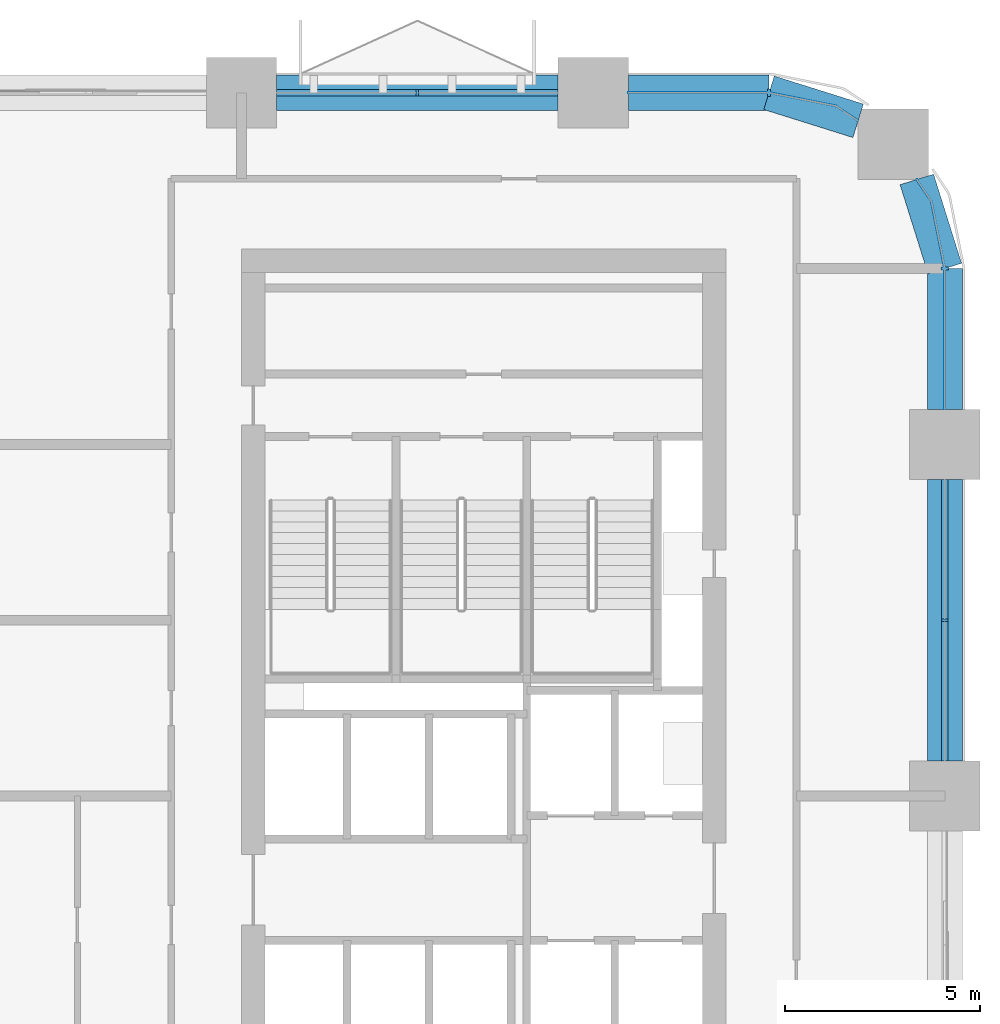
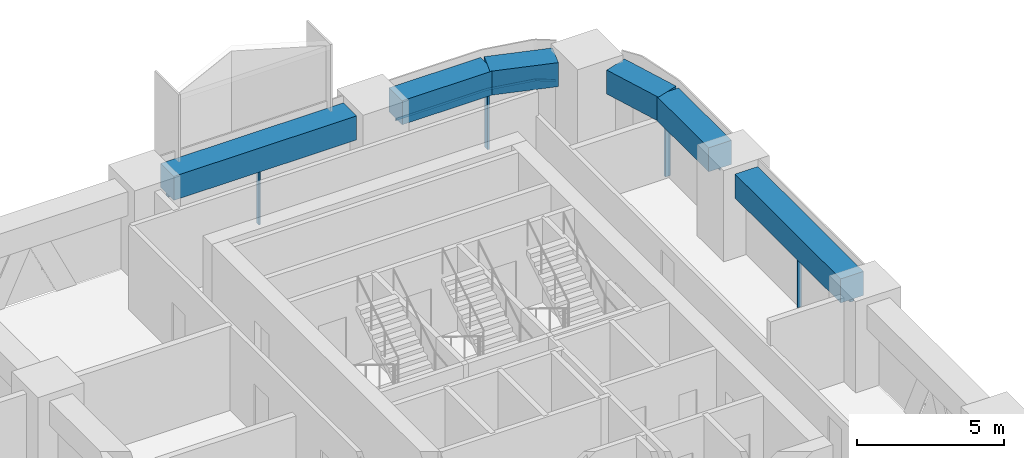
# One storey, part 8 of 26: 8 members, 6 beams, 4 elements without a shape of their own.
"""IFC4 building model written with IfcOpenShell, lengths in metres."""

from ifc_helpers import new_model, si_unit, direction, frame, origin, origin_2d, place, context, subcontext, project, spatial, polyline, rectangle, outline, extrude, material, material_profile, profile_set, type_object, element, aggregate, save


model = new_model("IFC4")

# Units and contexts
model_context = context("Model", 3, precision=1e-05, world=origin(), true_north=direction((0.0, 1.0)))
body_context = subcontext(model_context, "Body", "Model", "MODEL_VIEW")
ifc_project = project(units=[si_unit("LENGTHUNIT", "METRE"), si_unit("AREAUNIT", "SQUARE_METRE"), si_unit("VOLUMEUNIT", "CUBIC_METRE"), si_unit("PLANEANGLEUNIT", "RADIAN"), si_unit("MASSUNIT", "GRAM", prefix="KILO")], contexts=[model_context])

# Site, building, storey
site_placement = place(None, origin())
site = spatial("IfcSite", under=ifc_project, at=site_placement, CompositionType="ELEMENT")
building_placement = place(site_placement, origin())
building = spatial("IfcBuilding", under=site, at=building_placement, Name="Tessera Arch", CompositionType="ELEMENT")
storey_placement = place(building_placement, frame((0.0, 0.0, 96.800048828125)))
storey = spatial("IfcBuildingStorey", under=building, at=storey_placement, Name="L22", CompositionType="ELEMENT", Elevation=96.800048828125)

# Curtain wall, member
ifc_material_1 = material(Name="CW1 curtain wall")
curtain_wall_type_1 = type_object("IfcCurtainWallType", Name="CW1 curtain wall", PredefinedType="NOTDEFINED", material=ifc_material_1)
curtain_wall_1_placement = place(storey_placement, origin())
curtain_wall_1 = element("IfcCurtainWall", 1, at=curtain_wall_1_placement, inside=storey, type_object=curtain_wall_type_1, Name="CW1 curtain wall N54.0/0 L22", PredefinedType="NOTDEFINED")
ifc_material_2 = material(Name="Anodised aluminium pale metal", Category="aluminium")
ifc_material_profile_1 = material_profile(ifc_material_2, rectangle(XDim=0.159912109375, YDim=0.06005859375, at=origin_2d()), Name="AL 60x160")
ifc_profile_set_1 = profile_set([ifc_material_profile_1], Name="Anodised aluminium pale metal")
member_type_1 = type_object("IfcMemberType", Name="CW1 mullion", PredefinedType="MULLION", material=ifc_profile_set_1)
member_1_placement = place(storey_placement, frame((40.5, 54.0, 0.0), z_axis=(0.0, 0.0, 1.0), x_axis=(0.0, -1.0, 0.0)))
member_1 = element("IfcMember", 2, at=member_1_placement, type_object=member_type_1, Name="CW1 mullion N54.0/0 1", PredefinedType="MULLION", context=body_context, shape_type="SweptSolid", body=[
    extrude(rectangle(XDim=0.159912109375, YDim=0.06005859375, at=origin_2d()), origin(), (0.0, 0.0, 1.0), 2.39990234375),
])

curtain_wall_2_placement = place(storey_placement, origin())
curtain_wall_2 = element("IfcCurtainWall", 3, at=curtain_wall_2_placement, inside=storey, type_object=curtain_wall_type_1, Name="CW1 curtain wall E54.0/4 L22", PredefinedType="NOTDEFINED")
member_2_placement = place(storey_placement, frame((54.0, 40.5, 0.0), z_axis=(0.0, 0.0, 1.0), x_axis=(-1.0, 0.0, 0.0)))
member_2 = element("IfcMember", 4, at=member_2_placement, type_object=member_type_1, Name="CW1 mullion E54.0/4 1", PredefinedType="MULLION", context=body_context, shape_type="SweptSolid", body=[
    extrude(rectangle(XDim=0.159912109375, YDim=0.06005859375, at=origin_2d()), origin(), (0.0, 0.0, 1.0), 2.39990234375),
])

# Member
ifc_material_3 = material(Name="Anodised aluminium pale metal", Category="aluminium")
ifc_material_profile_2 = material_profile(ifc_material_3, rectangle(XDim=0.159912109375, YDim=0.10009765625, at=origin_2d()), Name="AL 160x100")
ifc_profile_set_2 = profile_set([ifc_material_profile_2], Name="Anodised aluminium pale metal")
member_type_2 = type_object("IfcMemberType", Name="CW1 transom", PredefinedType="USERDEFINED", material=ifc_profile_set_2)
member_3_placement = place(storey_placement, frame((44.10009765625, 54.0, 2.449951171875), z_axis=(-1.0, 0.0, 0.0), x_axis=(0.0, -1.0, 0.0)))
member_3 = element("IfcMember", 5, at=member_3_placement, type_object=member_type_2, Name="CW1 transom N54.0/0 1.1", ObjectType="TRANSOM", PredefinedType="USERDEFINED", context=body_context, shape_type="SweptSolid", body=[
    extrude(rectangle(XDim=0.159912109375, YDim=0.10009765625, at=origin_2d()), origin(), (0.0, 0.0, 1.0), 7.2001953125),
])

aggregate(curtain_wall_1, [member_1, member_3])

member_4_placement = place(storey_placement, frame((54.0, 36.89990234375, 2.449951171875), z_axis=(0.0, 1.0, 0.0), x_axis=(-1.0, 0.0, 0.0)))
member_4 = element("IfcMember", 6, at=member_4_placement, type_object=member_type_2, Name="CW1 transom E54.0/4 1.1", ObjectType="TRANSOM", PredefinedType="USERDEFINED", context=body_context, shape_type="SweptSolid", body=[
    extrude(rectangle(XDim=0.159912109375, YDim=0.10009765625, at=origin_2d()), origin(), (0.0, 0.0, 1.0), 7.2001953125),
])

aggregate(curtain_wall_2, [member_2, member_4])

# Curtain wall, member
ifc_material_4 = material(Name="CW2 curtain wall")
curtain_wall_type_2 = type_object("IfcCurtainWallType", Name="CW2 curtain wall", PredefinedType="NOTDEFINED", material=ifc_material_4)
curtain_wall_3_placement = place(storey_placement, origin())
curtain_wall_3 = element("IfcCurtainWall", 7, at=curtain_wall_3_placement, inside=storey, type_object=curtain_wall_type_2, Name="CW2 curtain wall E54.0/5 L22", PredefinedType="NOTDEFINED")
ifc_material_5 = material(Name="Anodised aluminium pale metal", Category="aluminium")
ifc_material_profile_3 = material_profile(ifc_material_5, rectangle(XDim=0.199951171875, YDim=0.080078125, at=origin_2d()), Name="AL 80x200")
ifc_profile_set_3 = profile_set([ifc_material_profile_3], Name="Anodised aluminium pale metal")
member_type_3 = type_object("IfcMemberType", Name="CW2 mullion", PredefinedType="MULLION", material=ifc_profile_set_3)
member_5_placement = place(storey_placement, frame((54.0, 49.5, 0.0), z_axis=(0.0, 0.0, 1.0), x_axis=(-1.0, 0.0, 0.0)))
member_5 = element("IfcMember", 8, at=member_5_placement, type_object=member_type_3, Name="CW2 mullion E54.0/5 1", PredefinedType="MULLION", context=body_context, shape_type="SweptSolid", body=[
    extrude(rectangle(XDim=0.199951171875, YDim=0.080078125, at=origin_2d()), origin(), (0.0, 0.0, 1.0), 2.39990234375),
])

curtain_wall_4_placement = place(storey_placement, origin())
curtain_wall_4 = element("IfcCurtainWall", 9, at=curtain_wall_4_placement, inside=storey, type_object=curtain_wall_type_2, Name="CW2 curtain wall N54.0/5 L22", PredefinedType="NOTDEFINED")
member_6_placement = place(storey_placement, frame((49.5, 54.0, 0.0), z_axis=(0.0, 0.0, 1.0), x_axis=(0.0, -1.0, 0.0)))
member_6 = element("IfcMember", 10, at=member_6_placement, type_object=member_type_3, Name="CW2 mullion N54.0/5 1", PredefinedType="MULLION", context=body_context, shape_type="SweptSolid", body=[
    extrude(rectangle(XDim=0.199951171875, YDim=0.080078125, at=origin_2d()), origin(), (0.0, 0.0, 1.0), 2.39990234375),
])

# Member
ifc_material_6 = material(Name="Anodised aluminium pale metal", Category="aluminium")
ifc_material_profile_4 = material_profile(ifc_material_6, rectangle(XDim=0.199951171875, YDim=0.10009765625, at=origin_2d()), Name="AL 200x100")
ifc_profile_set_4 = profile_set([ifc_material_profile_4], Name="Anodised aluminium pale metal")
member_type_4 = type_object("IfcMemberType", Name="CW2 transom", PredefinedType="USERDEFINED", material=ifc_profile_set_4)
member_7_placement = place(storey_placement, frame((0.0, 0.0, 2.39990234375)))
member_7 = element("IfcMember", 11, at=member_7_placement, type_object=member_type_4, Name="CW2 transom E54.0/5 1", ObjectType="TRANSOM", PredefinedType="USERDEFINED", context=body_context, shape_type="SweptSolid", body=[
    extrude(outline(polyline([(53.989990234375, 49.4990234375), (53.989990234375, 45.89990234375), (54.010009765625, 45.89990234375), (54.010009765625, 49.5009765625), (53.6669921875, 51.22607421875), (53.29150390625, 51.78759765625), (53.27490234375, 51.7763671875), (53.648193359375, 51.21826171875), (53.989990234375, 49.4990234375)])), origin(), (0.0, 0.0, 1.0), 0.10009765625),
])

aggregate(curtain_wall_3, [member_5, member_7])

member_8_placement = place(storey_placement, frame((0.0, 0.0, 2.39990234375)))
member_8 = element("IfcMember", 12, at=member_8_placement, type_object=member_type_4, Name="CW2 transom N54.0/5 1", ObjectType="TRANSOM", PredefinedType="USERDEFINED", context=body_context, shape_type="SweptSolid", body=[
    extrude(outline(polyline([(51.21826171875, 53.648193359375), (51.7763671875, 53.27490234375), (51.78759765625, 53.29150390625), (51.22607421875, 53.6669921875), (49.5009765625, 54.010009765625), (45.89990234375, 54.010009765625), (45.89990234375, 53.989990234375), (49.4990234375, 53.989990234375), (51.21826171875, 53.648193359375)])), origin(), (0.0, 0.0, 1.0), 0.10009765625),
])

aggregate(curtain_wall_4, [member_6, member_8])

# Beams
ifc_material_7 = material(Name="Concrete C80/95", Category="concrete")
ifc_material_profile_5 = material_profile(ifc_material_7, rectangle(XDim=0.89990234375, YDim=1.0, at=origin_2d()), Name="RC spandrel beam 900 x 1000 Concrete C80/95")
ifc_profile_set_5 = profile_set([ifc_material_profile_5], Name="Concrete C80/95")
beam_type = type_object("IfcBeamType", Name="RC spandrel beam 900 x 1000 Concrete C80/95", PredefinedType="BEAM", material=ifc_profile_set_5)
for number, where, z_axis, x_axis, name in (
    (13, (44.10009765625, 54.0, 3.0), (-1.0, 0.0, 0.0), (0.0, -1.0, 0.0), "Spandrel beam L22 N54.0/0"),
    (14, (54.0, 36.89990234375, 3.0), (0.0, 1.0, 0.0), (-1.0, 0.0, 0.0), "Spandrel beam L22 E54.0/4"),
):
    element("IfcBeam", number, at=place(storey_placement, frame(where, z_axis=z_axis, x_axis=x_axis)), inside=storey, type_object=beam_type, Name=name, PredefinedType="BEAM", context=body_context, shape_type="SweptSolid", body=[
        extrude(rectangle(XDim=0.89990234375, YDim=1.0, at=origin_2d()), origin(), (0.0, 0.0, 1.0), 7.2001953125),
    ])
beam_1_placement = place(storey_placement, frame((54.0, 45.89990234375, 3.0), z_axis=(0.0, 1.0, 0.0), x_axis=(-1.0, 0.0, 0.0)))
element("IfcBeam", 15, at=beam_1_placement, inside=storey, type_object=beam_type, Name="Spandrel beam L22 E54.0/5.1", PredefinedType="BEAM", context=body_context, shape_type="SweptSolid", body=[
    extrude(rectangle(XDim=0.89990234375, YDim=1.0, at=origin_2d()), origin(), (0.0, 0.0, 1.0), 3.60009765625),
])
for number, where, z_axis, x_axis, name in (
    (16, (54.0, 49.5, 3.0), (-0.299675309057, 0.954041251279, 0.0), (-0.954041251279, -0.299675309057, 0.0), "Spandrel beam L22 E54.0/5.2"),
    (17, (51.781982421875, 53.283203125, 3.0), (-0.954041251279, 0.299675309057, 0.0), (-0.299675309057, -0.954041251279, 0.0), "Spandrel beam L22 N54.0/5.1"),
):
    element("IfcBeam", number, at=place(storey_placement, frame(where, z_axis=z_axis, x_axis=x_axis)), inside=storey, type_object=beam_type, Name=name, PredefinedType="BEAM", context=body_context, shape_type="SweptSolid", body=[
        extrude(rectangle(XDim=0.89990234375, YDim=1.0, at=origin_2d()), origin(), (0.0, 0.0, 1.0), 2.391845703125),
    ])
beam_2_placement = place(storey_placement, frame((49.5, 54.0, 3.0), z_axis=(-1.0, 0.0, 0.0), x_axis=(0.0, -1.0, 0.0)))
element("IfcBeam", 18, at=beam_2_placement, inside=storey, type_object=beam_type, Name="Spandrel beam L22 N54.0/5.2", PredefinedType="BEAM", context=body_context, shape_type="SweptSolid", body=[
    extrude(rectangle(XDim=0.89990234375, YDim=1.0, at=origin_2d()), origin(), (0.0, 0.0, 1.0), 3.60009765625),
])

save(model, "model.ifc")
